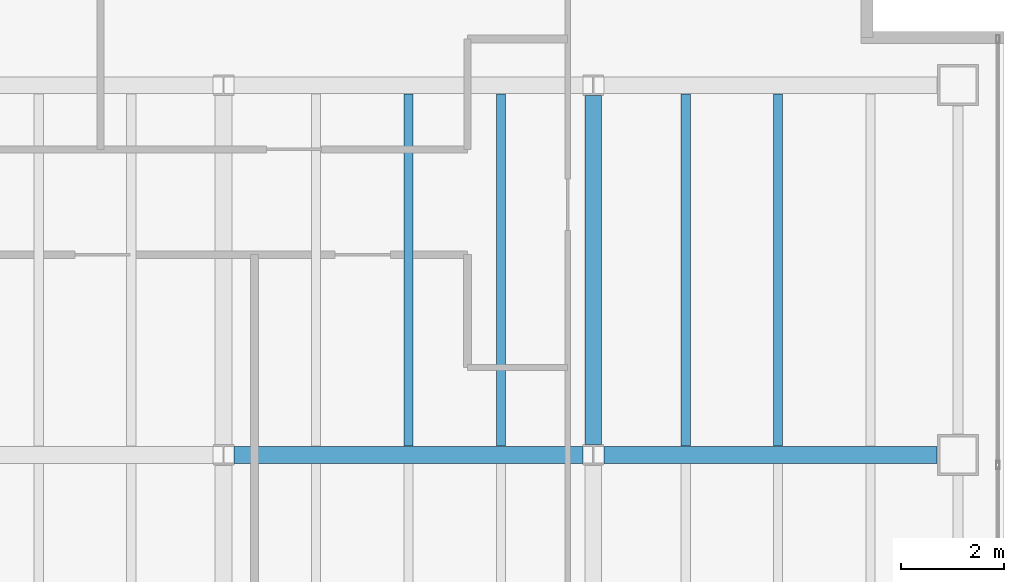
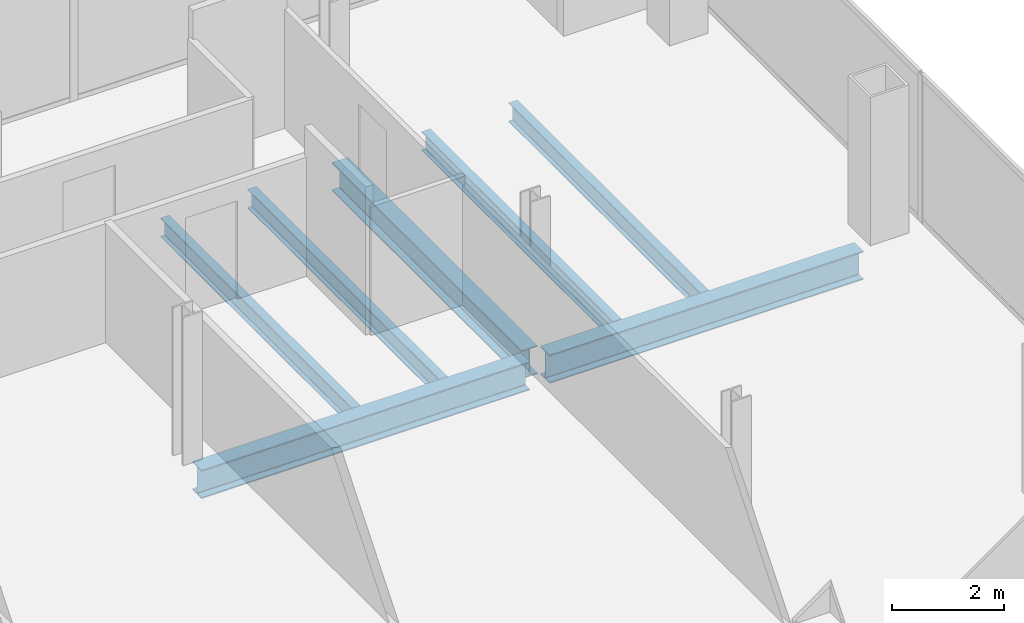
# One storey, part 13 of 23: 7 beams.
"""IFC4 building model written with IfcOpenShell, lengths in metres."""

from ifc_helpers import new_model, si_unit, direction, frame, origin, origin_2d, place, context, subcontext, project, spatial, i_section, extrude, material, material_profile, profile_set, type_object, element, save


model = new_model("IFC4")

# Units and contexts
model_context = context("Model", 3, precision=1e-05, world=origin(), true_north=direction((0.0, 1.0)))
body_context = subcontext(model_context, "Body", "Model", "MODEL_VIEW")
ifc_project = project(units=[si_unit("LENGTHUNIT", "METRE"), si_unit("AREAUNIT", "SQUARE_METRE"), si_unit("VOLUMEUNIT", "CUBIC_METRE"), si_unit("PLANEANGLEUNIT", "RADIAN"), si_unit("MASSUNIT", "GRAM", prefix="KILO")], contexts=[model_context])

# Site, building, storey
site_placement = place(None, origin())
site = spatial("IfcSite", under=ifc_project, at=site_placement, CompositionType="ELEMENT")
building_placement = place(site_placement, origin())
building = spatial("IfcBuilding", under=site, at=building_placement, Name="Cobrela Telecom Tower", CompositionType="ELEMENT")
storey_placement = place(building_placement, frame((0.0, 0.0, 194.25)))
storey = spatial("IfcBuildingStorey", under=building, at=storey_placement, Name="L49", CompositionType="ELEMENT", Elevation=194.25)

# Beams
ifc_material = material(Name="Steel ASTM A992 Grade 50", Category="steel")
ifc_material_profile_1 = material_profile(ifc_material, i_section(OverallWidth=0.327880859375, OverallDepth=0.6220703125, WebThickness=0.015380859375, FlangeThickness=0.0244140625, FilletRadius=0.014892578125, at=origin_2d()), Name="W24X131")
ifc_profile_set_1 = profile_set([ifc_material_profile_1], Name="Steel ASTM A992 Grade 50")
beam_type_1 = type_object("IfcBeamType", Name="BM-GIRD-06", PredefinedType="USERDEFINED", material=ifc_profile_set_1)
beam_1_placement = place(storey_placement, frame((29.00439453125, 14.39990234375, -0.571044921875), z_axis=(1.0, 0.0, 0.0), x_axis=(0.0, 1.0, 0.0)))
element("IfcBeam", 1, at=beam_1_placement, inside=storey, type_object=beam_type_1, Name="L49 Primary Girder X13", ObjectType="GIRDER", PredefinedType="USERDEFINED", context=body_context, shape_type="SweptSolid", body=[
    extrude(i_section(OverallWidth=0.327880859375, OverallDepth=0.6220703125, WebThickness=0.015380859375, FlangeThickness=0.0244140625, FilletRadius=0.014892578125, at=origin_2d()), origin(), (0.0, 0.0, 1.0), 6.791015625),
])
beam_2_placement = place(storey_placement, frame((36.20458984375, 14.39990234375, -0.571044921875), z_axis=(1.0, 0.0, 0.0), x_axis=(0.0, 1.0, 0.0)))
element("IfcBeam", 2, at=beam_2_placement, inside=storey, type_object=beam_type_1, Name="L49 Primary Girder X14", ObjectType="GIRDER", PredefinedType="USERDEFINED", context=body_context, shape_type="SweptSolid", body=[
    extrude(i_section(OverallWidth=0.327880859375, OverallDepth=0.6220703125, WebThickness=0.015380859375, FlangeThickness=0.0244140625, FilletRadius=0.014892578125, at=origin_2d()), origin(), (0.0, 0.0, 1.0), 6.490478515625),
])
beam_3_placement = place(storey_placement, frame((36.0, 14.6044921875, -0.571044921875), z_axis=(0.0, 1.0, 0.0), x_axis=(-1.0, 0.0, 0.0)))
element("IfcBeam", 3, at=beam_3_placement, inside=storey, type_object=beam_type_1, Name="L49 Primary Girder Y41", ObjectType="GIRDER", PredefinedType="USERDEFINED", context=body_context, shape_type="SweptSolid", body=[
    extrude(i_section(OverallWidth=0.327880859375, OverallDepth=0.6220703125, WebThickness=0.015380859375, FlangeThickness=0.0244140625, FilletRadius=0.014892578125, at=origin_2d()), origin(), (0.0, 0.0, 1.0), 6.791015625),
])
ifc_material_profile_2 = material_profile(ifc_material, i_section(OverallWidth=0.179931640625, OverallDepth=0.4169921875, WebThickness=0.010986328125, FlangeThickness=0.01806640625, FilletRadius=0.011962890625, at=origin_2d()), Name="W16X57")
ifc_profile_set_2 = profile_set([ifc_material_profile_2], Name="Steel ASTM A992 Grade 50")
beam_type_2 = type_object("IfcBeamType", Name="BM-JOIST-04", PredefinedType="JOIST", material=ifc_profile_set_2)
for number, where, z_axis, x_axis, name in (
    (4, (32.39990234375, 14.569091796875, -0.468505859375), (0.0, 1.0, 0.0), (-1.0, 0.0, 0.0), "L49 Secondary Composite Floor Beam J22"),
    (5, (34.199951171875, 14.569091796875, -0.468505859375), (0.0, 1.0, 0.0), (-1.0, 0.0, 0.0), "L49 Secondary Composite Floor Beam J24"),
    (6, (37.800048828125, 14.569091796875, -0.468505859375), (0.0, 1.0, 0.0), (-1.0, 0.0, 0.0), "L49 Secondary Composite Floor Beam J26"),
    (7, (39.60009765625, 14.569091796875, -0.468505859375), (0.0, 1.0, 0.0), (-1.0, 0.0, 0.0), "L49 Secondary Composite Floor Beam J28"),
):
    element("IfcBeam", number, at=place(storey_placement, frame(where, z_axis=z_axis, x_axis=x_axis)), inside=storey, type_object=beam_type_2, Name=name, PredefinedType="JOIST", context=body_context, shape_type="SweptSolid", body=[
        extrude(i_section(OverallWidth=0.179931640625, OverallDepth=0.4169921875, WebThickness=0.010986328125, FlangeThickness=0.01806640625, FilletRadius=0.011962890625, at=origin_2d()), origin(), (0.0, 0.0, 1.0), 6.86181640625),
    ])

save(model, "model.ifc")
